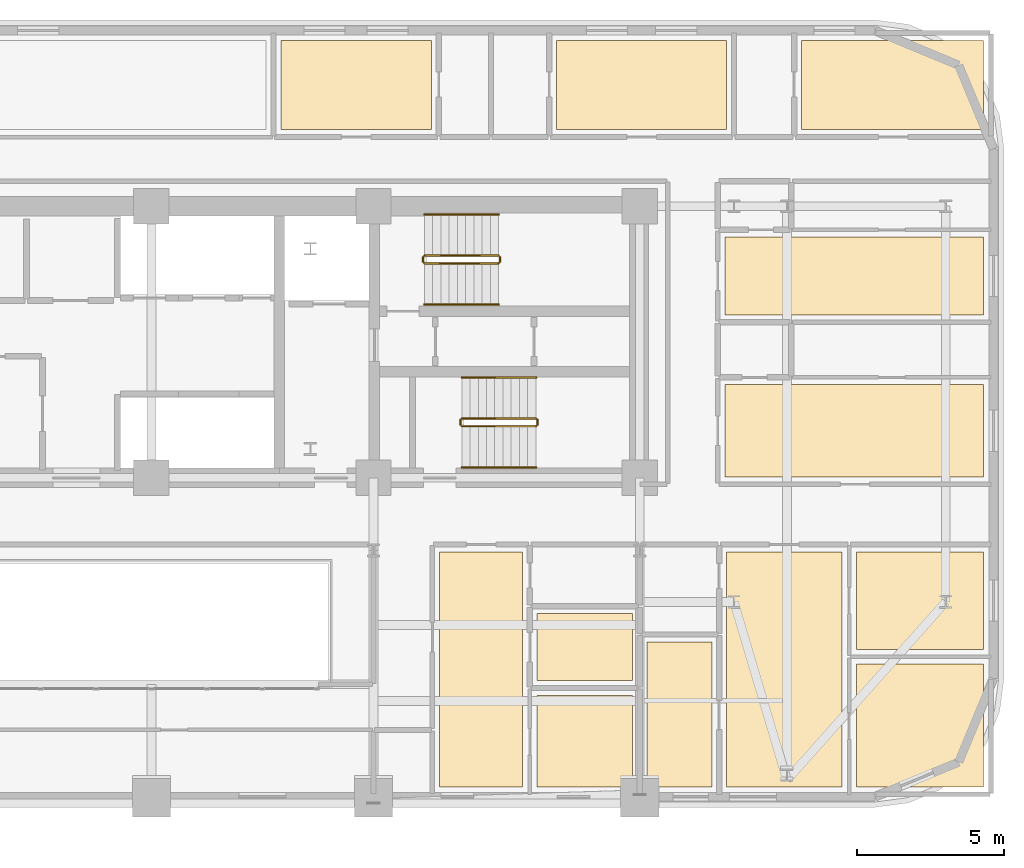
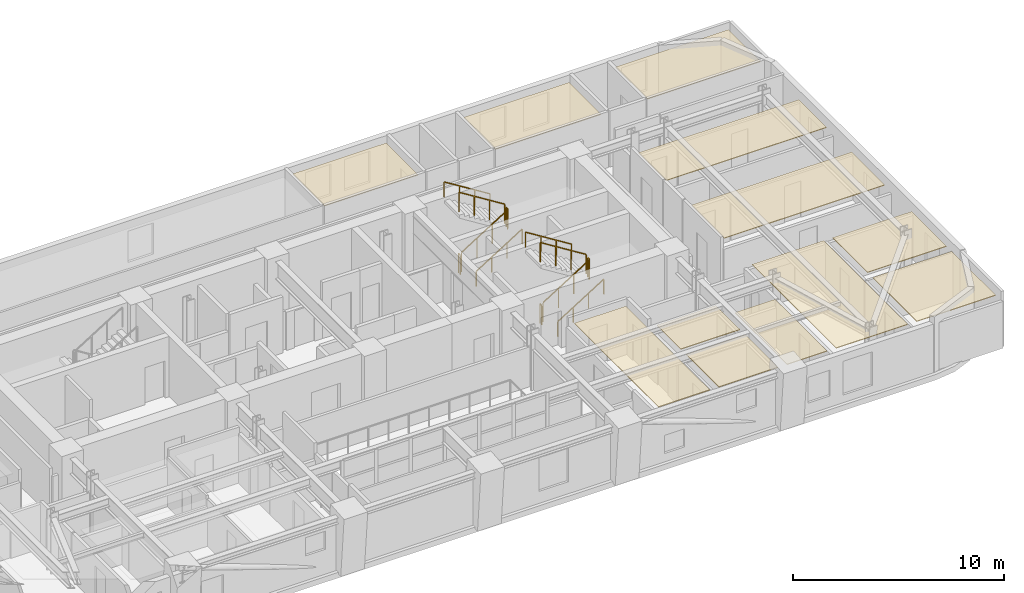
# One storey, part 16 of 16: 12 coverings, 12 railings.
"""IFC4 building model written with IfcOpenShell, lengths in metres."""

import ifcopenshell
import ifcopenshell.guid

model = None  # the IFC model being written
_history = None  # IfcOwnerHistory: only IFC2X3 demands one
_inside = {}  # id of a spatial element -> (the spatial element, [elements in it])
_under = {}  # id of a project, library or spatial element -> (it, [spatial elements below it])
_declared = {}  # id of a project -> (the project, [libraries it declares])
_typed = {}  # id of a type object -> (the type object, [elements of that type])
_made_of = {}  # id of a material, layer set ... -> (it, [elements and type objects made of it])


def new_model(schema):
    """Start an empty IFC model of exactly this schema.

    Asked for "IFC4X3", IfcOpenShell would pick the latest addendum, in which some entities
    have other attributes; the version numbers below select the first issue.
    IFC2X3 requires an IfcOwnerHistory on every rooted entity: one is made here for all.
    """
    global model, _history
    if schema == "IFC4X3":
        model = ifcopenshell.file(schema_version=(4, 3, 0, 0))
    else:
        model = ifcopenshell.file(schema=schema)
    _inside.clear()
    _under.clear()
    _declared.clear()
    _typed.clear()
    _made_of.clear()
    _history = None
    if model.schema == "IFC2X3":
        org = make("IfcOrganization", Name="unknown")
        user = make(
            "IfcPersonAndOrganization",
            ThePerson=make("IfcPerson", FamilyName="unknown"),
            TheOrganization=org,
        )
        app = make(
            "IfcApplication",
            ApplicationDeveloper=org,
            Version="unknown",
            ApplicationFullName="unknown",
            ApplicationIdentifier="unknown",
        )
        _history = make(
            "IfcOwnerHistory",
            OwningUser=user,
            OwningApplication=app,
            ChangeAction="ADDED",
            CreationDate=0,
        )
    return model


def make(cls, **values):
    """One entity of the class cls with the attributes given. An attribute that is None is left unset."""
    return model.create_entity(
        cls, **{name: value for name, value in values.items() if value is not None}
    )


def rooted(cls, **values):
    """An entity with a GlobalId (a new one), such as an element, a storey or a relation."""
    return make(cls, GlobalId=ifcopenshell.guid.new(), OwnerHistory=_history, **values)


def si_unit(unit_type, name, prefix=None):
    """IfcSIUnit, for example si_unit("LENGTHUNIT", "METRE", prefix="MILLI")."""
    return make("IfcSIUnit", UnitType=unit_type, Prefix=prefix, Name=name)


def assignment(units):
    """IfcUnitAssignment: the units of a project."""
    return None if units is None else make("IfcUnitAssignment", Units=units)


def point(xyz):
    """IfcCartesianPoint."""
    return None if xyz is None else make("IfcCartesianPoint", Coordinates=xyz)


def direction(xyz):
    """IfcDirection."""
    return None if xyz is None else make("IfcDirection", DirectionRatios=xyz)


def frame(location, z_axis=None, x_axis=None):
    """IfcAxis2Placement3D, a coordinate frame: its origin and axes. An axis left out is left unset."""
    return make(
        "IfcAxis2Placement3D",
        Location=point(location),
        Axis=direction(z_axis),
        RefDirection=direction(x_axis),
    )


def frame_2d(location, x_axis=None):
    """IfcAxis2Placement2D, a coordinate frame in the plane: its origin and x axis."""
    return make(
        "IfcAxis2Placement2D", Location=point(location), RefDirection=direction(x_axis)
    )


def origin():
    """The frame at (0, 0, 0) with its axes left unset."""
    return frame((0.0, 0.0, 0.0))


def origin_2d():
    """The frame at (0, 0) in the plane with its x axis left unset."""
    return frame_2d((0.0, 0.0))


def place(relative_to, where):
    """IfcLocalPlacement: puts the frame where relative to a parent placement (None: the world)."""
    return make(
        "IfcLocalPlacement", PlacementRelTo=relative_to, RelativePlacement=where
    )


def context(
    kind, dimensions, precision=None, world=None, true_north=None, identifier=None
):
    """IfcGeometricRepresentationContext, for example the 3D "Model" context."""
    return make(
        "IfcGeometricRepresentationContext",
        ContextIdentifier=identifier,
        ContextType=kind,
        CoordinateSpaceDimension=dimensions,
        Precision=precision,
        WorldCoordinateSystem=world,
        TrueNorth=true_north,
    )


def subcontext(parent, identifier, kind, view, scale=None):
    """IfcGeometricRepresentationSubContext, for example "Body" below "Model"."""
    return make(
        "IfcGeometricRepresentationSubContext",
        ContextIdentifier=identifier,
        ContextType=kind,
        ParentContext=parent,
        TargetScale=scale,
        TargetView=view,
    )


def project(units=None, contexts=None):
    """IfcProject with its units and contexts."""
    return rooted(
        "IfcProject",
        Name="project",
        RepresentationContexts=contexts,
        UnitsInContext=assignment(units),
    )


def spatial(cls, under=None, at=None, **own):
    """A site, building, storey or space (cls), placed at a placement, below another one or the project."""
    s = rooted(cls, ObjectPlacement=at, **own)
    if under is not None:
        _under.setdefault(under.id(), (under, []))[1].append(s)
    return s


def polyline(points):
    """IfcPolyline through the points."""
    return make("IfcPolyline", Points=[point(p) for p in points])


def profile(cls, at=None, kind="AREA", **sizes):
    """A parametric profile (cls). Its sizes go by their IFC names, for example OverallWidth=200.0."""
    return make(cls, ProfileType=kind, Position=at, **sizes)


def rectangle(**sizes):
    """IfcRectangleProfileDef."""
    return profile("IfcRectangleProfileDef", **sizes)


def outline(outer, holes=None, kind="AREA"):
    """IfcArbitraryClosedProfileDef: a profile drawn as a closed curve; with holes, ...WithVoids."""
    if holes is None:
        return make("IfcArbitraryClosedProfileDef", ProfileType=kind, OuterCurve=outer)
    return make(
        "IfcArbitraryProfileDefWithVoids",
        ProfileType=kind,
        OuterCurve=outer,
        InnerCurves=holes,
    )


def extrude(swept, where, along, depth):
    """IfcExtrudedAreaSolid: the profile swept, set in the frame where, extruded along a direction by depth."""
    return make(
        "IfcExtrudedAreaSolid",
        SweptArea=swept,
        Position=where,
        ExtrudedDirection=direction(along),
        Depth=depth,
    )


def shape(context_of_items, identifier, shape_type, items):
    """IfcShapeRepresentation: the items that make up one representation, for example the "Body"."""
    return make(
        "IfcShapeRepresentation",
        ContextOfItems=context_of_items,
        RepresentationIdentifier=identifier,
        RepresentationType=shape_type,
        Items=items,
    )


def material(Name=None, Category=None):
    """IfcMaterial."""
    return make("IfcMaterial", Name=Name, Category=Category)


def layer(
    of_material, thickness, ventilated=None, Name=None, Category=None, Priority=None
):
    """IfcMaterialLayer: one layer of a wall or slab, of a material (None: an air gap)."""
    return make(
        "IfcMaterialLayer",
        Material=of_material,
        LayerThickness=thickness,
        IsVentilated=ventilated,
        Name=Name,
        Category=Category,
        Priority=Priority,
    )


def layer_set(layers, Name=None):
    """IfcMaterialLayerSet."""
    return make("IfcMaterialLayerSet", MaterialLayers=layers, LayerSetName=Name)


def made_of(thing, what):
    """Note that an element or type object is made of a material, layer set ...; save() writes the relation."""
    if what is not None:
        _made_of.setdefault(what.id(), (what, []))[1].append(thing)
    return thing


def type_object(cls, material=None, **own):
    """A type object (cls), such as IfcWallType, which elements share."""
    return made_of(rooted(cls, **own), material)


def element(
    cls,
    number,
    at=None,
    inside=None,
    cuts=None,
    type_object=None,
    material=None,
    context=None,
    identifier="Body",
    shape_type=None,
    held_by="IfcProductDefinitionShape",
    body=None,
    shapes=None,
    **own,
):
    """One element of the class cls, such as IfcWall. Its Tag is "e" and its number.

    at: its placement. inside: the storey or other place that contains it. cuts: it is an
    opening in that element (IfcRelVoidsElement). A single representation is given by context,
    identifier, shape_type and body (its items); several are given by shapes. held_by: the class
    of the entity that holds the representations. save() writes the other relations.
    """
    e = rooted(cls, Tag="e%d" % number, ObjectPlacement=at, **own)
    if body is not None:
        shapes = [shape(context, identifier, shape_type, body)]
    if shapes is not None:
        e.Representation = make(held_by, Representations=shapes)
    if inside is not None:
        _inside.setdefault(inside.id(), (inside, []))[1].append(e)
    if cuts is not None:
        rooted(
            "IfcRelVoidsElement", RelatingBuildingElement=cuts, RelatedOpeningElement=e
        )
    if type_object is not None:
        _typed.setdefault(type_object.id(), (type_object, []))[1].append(e)
    return made_of(e, material)


def aggregate(whole, parts):
    """IfcRelAggregates: a whole, such as a stair, and the parts it consists of."""
    return rooted("IfcRelAggregates", RelatingObject=whole, RelatedObjects=parts)


def save(model, path):
    """Write the relations noted so far, then the file.

    IfcRelAggregates (storeys below a building ...), IfcRelContainedInSpatialStructure (elements
    in a storey), IfcRelDefinesByType, IfcRelAssociatesMaterial and IfcRelDeclares: one each for
    every whole, place, type object, material and project.
    """
    for whole, parts in _under.values():
        aggregate(whole, parts)
    for where, things in _inside.values():
        rooted(
            "IfcRelContainedInSpatialStructure",
            RelatedElements=things,
            RelatingStructure=where,
        )
    for kind, things in _typed.values():
        rooted("IfcRelDefinesByType", RelatedObjects=things, RelatingType=kind)
    for what, things in _made_of.values():
        rooted("IfcRelAssociatesMaterial", RelatedObjects=things, RelatingMaterial=what)
    for by, libraries in _declared.values():
        rooted("IfcRelDeclares", RelatingContext=by, RelatedDefinitions=libraries)
    model.write(path)


model = new_model("IFC4")

# Units and contexts
model_context = context("Model", 3, precision=1e-05, world=origin(), true_north=direction((0.0, 1.0)))
body_context = subcontext(model_context, "Body", "Model", "MODEL_VIEW")
ifc_project = project(units=[si_unit("LENGTHUNIT", "METRE"), si_unit("AREAUNIT", "SQUARE_METRE"), si_unit("VOLUMEUNIT", "CUBIC_METRE"), si_unit("PLANEANGLEUNIT", "RADIAN"), si_unit("MASSUNIT", "GRAM", prefix="KILO")], contexts=[model_context])

# Site, building, storey
site_placement = place(None, origin())
site = spatial("IfcSite", under=ifc_project, at=site_placement, CompositionType="ELEMENT")
building_placement = place(site_placement, origin())
building = spatial("IfcBuilding", under=site, at=building_placement, Name="Zarnavel Station Tower", CompositionType="ELEMENT")
storey_placement = place(building_placement, frame((0.0, 0.0, 101.300048828125)))
storey = spatial("IfcBuildingStorey", under=building, at=storey_placement, Name="L27", CompositionType="ELEMENT", Elevation=101.300048828125)

# Coverings
ifc_material_1 = material(Name="Perforated Gypsum and Mineral-Wool Acoustic Ceiling", Category="concrete")
ifc_layer = layer(ifc_material_1, 0.0400390625)
ifc_layer_set = layer_set([ifc_layer], Name="COV_CEIL_ACOUSTIC")
covering_type = type_object("IfcCoveringType", Name="COV_CEIL_ACOUSTIC", PredefinedType="CEILING", material=ifc_layer_set)
covering_1_placement = place(storey_placement, frame((0.0, 0.0, 2.919921875)))
element("IfcCovering", 1, at=covering_1_placement, inside=storey, type_object=covering_type, Name="L27 FNE1R Acoustic Ceiling", PredefinedType="CEILING", context=body_context, shape_type="SweptSolid", body=[
    extrude(outline(polyline([(48.300048828125, 27.85009765625), (57.090087890625, 27.85009765625), (57.090087890625, 30.986083984375), (48.300048828125, 30.986083984375), (48.300048828125, 27.85009765625)])), origin(), (0.0, 0.0, 1.0), 0.0400390625),
])
covering_2_placement = place(storey_placement, frame((0.0, 0.0, 2.919921875)))
element("IfcCovering", 2, at=covering_2_placement, inside=storey, type_object=covering_type, Name="L27 FNE2R Acoustic Ceiling", PredefinedType="CEILING", context=body_context, shape_type="SweptSolid", body=[
    extrude(outline(polyline([(48.300048828125, 33.35888671875), (57.090087890625, 33.35888671875), (57.090087890625, 36.0), (48.300048828125, 36.0), (48.300048828125, 33.35888671875)])), origin(), (0.0, 0.0, 1.0), 0.0400390625),
])
covering_3_placement = place(storey_placement, frame((0.0, 0.0, 2.919921875)))
element("IfcCovering", 3, at=covering_3_placement, inside=storey, type_object=covering_type, Name="L27 HN1R Acoustic Ceiling", PredefinedType="CEILING", context=body_context, shape_type="SweptSolid", body=[
    extrude(outline(polyline([(33.199951171875, 39.64990234375), (38.31689453125, 39.64990234375), (38.31689453125, 42.68994140625), (33.199951171875, 42.68994140625), (33.199951171875, 39.64990234375)])), origin(), (0.0, 0.0, 1.0), 0.0400390625),
])
covering_4_placement = place(storey_placement, frame((0.0, 0.0, 2.919921875)))
element("IfcCovering", 4, at=covering_4_placement, inside=storey, type_object=covering_type, Name="L27 HN2R Acoustic Ceiling", PredefinedType="CEILING", context=body_context, shape_type="SweptSolid", body=[
    extrude(outline(polyline([(42.572998046875, 39.64990234375), (48.35009765625, 39.64990234375), (48.35009765625, 42.68994140625), (42.572998046875, 42.68994140625), (42.572998046875, 39.64990234375)])), origin(), (0.0, 0.0, 1.0), 0.0400390625),
])
covering_5_placement = place(storey_placement, frame((0.0, 0.0, 2.919921875)))
element("IfcCovering", 5, at=covering_5_placement, inside=storey, type_object=covering_type, Name="L27 HN3R Acoustic Ceiling", PredefinedType="CEILING", context=body_context, shape_type="SweptSolid", body=[
    extrude(outline(polyline([(50.89990234375, 39.64990234375), (57.090087890625, 39.64990234375), (57.090087890625, 42.68994140625), (50.89990234375, 42.68994140625), (50.89990234375, 39.64990234375)])), origin(), (0.0, 0.0, 1.0), 0.0400390625),
])
covering_6_placement = place(storey_placement, frame((0.0, 0.0, 2.919921875)))
element("IfcCovering", 6, at=covering_6_placement, inside=storey, type_object=covering_type, Name="L27 UE1ALV Acoustic Ceiling", PredefinedType="CEILING", context=body_context, shape_type="SweptSolid", body=[
    extrude(outline(polyline([(38.60009765625, 17.31005859375), (41.4130859375, 17.31005859375), (41.4130859375, 25.300048828125), (38.60009765625, 25.300048828125), (38.60009765625, 17.31005859375)])), origin(), (0.0, 0.0, 1.0), 0.0400390625),
])
covering_7_placement = place(storey_placement, frame((0.0, 0.0, 2.919921875)))
element("IfcCovering", 7, at=covering_7_placement, inside=storey, type_object=covering_type, Name="L27 UE1AB1 Acoustic Ceiling", PredefinedType="CEILING", context=body_context, shape_type="SweptSolid", body=[
    extrude(outline(polyline([(41.9130859375, 17.31005859375), (45.14990234375, 17.31005859375), (45.14990234375, 20.423095703125), (41.9130859375, 20.423095703125), (41.9130859375, 17.31005859375)])), origin(), (0.0, 0.0, 1.0), 0.0400390625),
])
covering_8_placement = place(storey_placement, frame((0.0, 0.0, 2.919921875)))
element("IfcCovering", 8, at=covering_8_placement, inside=storey, type_object=covering_type, Name="L27 UE1AKT Acoustic Ceiling", PredefinedType="CEILING", context=body_context, shape_type="SweptSolid", body=[
    extrude(outline(polyline([(41.9130859375, 20.923095703125), (45.14990234375, 20.923095703125), (45.14990234375, 23.202880859375), (41.9130859375, 23.202880859375), (41.9130859375, 20.923095703125)])), origin(), (0.0, 0.0, 1.0), 0.0400390625),
])
covering_9_placement = place(storey_placement, frame((0.0, 0.0, 2.919921875)))
element("IfcCovering", 9, at=covering_9_placement, inside=storey, type_object=covering_type, Name="L27 UE1BLV Acoustic Ceiling", PredefinedType="CEILING", context=body_context, shape_type="SweptSolid", body=[
    extrude(outline(polyline([(48.35009765625, 17.31005859375), (52.26806640625, 17.31005859375), (52.26806640625, 25.300048828125), (48.35009765625, 25.300048828125), (48.35009765625, 17.31005859375)])), origin(), (0.0, 0.0, 1.0), 0.0400390625),
])
covering_10_placement = place(storey_placement, frame((0.0, 0.0, 2.919921875)))
element("IfcCovering", 10, at=covering_10_placement, inside=storey, type_object=covering_type, Name="L27 UE1BKT Acoustic Ceiling", PredefinedType="CEILING", context=body_context, shape_type="SweptSolid", body=[
    extrude(outline(polyline([(45.64990234375, 17.31005859375), (47.85009765625, 17.31005859375), (47.85009765625, 22.243896484375), (45.64990234375, 22.243896484375), (45.64990234375, 17.31005859375)])), origin(), (0.0, 0.0, 1.0), 0.0400390625),
])
covering_11_placement = place(storey_placement, frame((0.0, 0.0, 2.919921875)))
element("IfcCovering", 11, at=covering_11_placement, inside=storey, type_object=covering_type, Name="L27 UE1BB1 Acoustic Ceiling", PredefinedType="CEILING", context=body_context, shape_type="SweptSolid", body=[
    extrude(outline(polyline([(52.76806640625, 17.31005859375), (57.090087890625, 17.31005859375), (57.090087890625, 21.490966796875), (52.76806640625, 21.490966796875), (52.76806640625, 17.31005859375)])), origin(), (0.0, 0.0, 1.0), 0.0400390625),
])
covering_12_placement = place(storey_placement, frame((0.0, 0.0, 2.919921875)))
element("IfcCovering", 12, at=covering_12_placement, inside=storey, type_object=covering_type, Name="L27 UE1BB2 Acoustic Ceiling", PredefinedType="CEILING", context=body_context, shape_type="SweptSolid", body=[
    extrude(outline(polyline([(52.76806640625, 21.990966796875), (57.090087890625, 21.990966796875), (57.090087890625, 25.300048828125), (52.76806640625, 25.300048828125), (52.76806640625, 21.990966796875)])), origin(), (0.0, 0.0, 1.0), 0.0400390625),
])

# Railings
ifc_material_2 = material(Name="Painted Steel S355J2 Balustrade", Category="steel")
railing_type_1 = type_object("IfcRailingType", Name="GR_INT_1150", PredefinedType="GUARDRAIL", material=ifc_material_2)
railing_1_placement = place(storey_placement, frame((38.080078125, 35.110107421875, 0.175048828125)))
element("IfcRailing", 13, at=railing_1_placement, inside=storey, type_object=railing_type_1, Name="L27 ST2 stair guard 1", PredefinedType="GUARDRAIL", context=body_context, shape_type="SweptSolid", body=[
    extrude(rectangle(XDim=0.048095703125, YDim=0.048095703125, at=origin_2d()), frame((0.001708984375, 0.0, 1.126953125), z_axis=(0.848007534815, 0.0, 0.529984170421), x_axis=(0.0, 1.0, 0.0)), (0.0, 0.0, 1.0), 2.9677734375),
    extrude(rectangle(XDim=0.0419921875, YDim=0.0419921875, at=origin_2d()), origin(), (0.0, 0.0, 1.0), 1.101806640625),
    extrude(rectangle(XDim=0.0419921875, YDim=0.0419921875, at=origin_2d()), frame((0.840087890625, 0.0, 0.52490234375)), (0.0, 0.0, 1.0), 1.101806640625),
    extrude(rectangle(XDim=0.0419921875, YDim=0.0419921875, at=origin_2d()), frame((1.679931640625, 0.0, 1.050048828125)), (0.0, 0.0, 1.0), 1.101806640625),
    extrude(rectangle(XDim=0.0419921875, YDim=0.0419921875, at=origin_2d()), frame((2.52001953125, 0.0, 1.574951171875)), (0.0, 0.0, 1.0), 1.101806640625),
])
railing_2_placement = place(storey_placement, frame((40.64990234375, 35.159912109375, 1.75)))
element("IfcRailing", 14, at=railing_2_placement, inside=storey, type_object=railing_type_1, Name="L27 ST2 stair guard 2", PredefinedType="GUARDRAIL", context=body_context, shape_type="SweptSolid", body=[
    extrude(rectangle(XDim=0.048095703125, YDim=0.048095703125, at=origin_2d()), frame((0.0, 0.001953125, 1.1259765625), z_axis=(0.0, 1.0, 0.0), x_axis=(-1.0, 0.0, 0.0)), (0.0, 0.0, 1.0), 0.15625),
    extrude(rectangle(XDim=0.0419921875, YDim=0.0419921875, at=origin_2d()), origin(), (0.0, 0.0, 1.0), 1.101806640625),
    extrude(rectangle(XDim=0.0419921875, YDim=0.0419921875, at=origin_2d()), frame((0.0, 0.16015625, 0.0)), (0.0, 0.0, 1.0), 1.101806640625),
])
railing_3_placement = place(storey_placement, frame((40.60009765625, 35.3701171875, 1.925048828125)))
element("IfcRailing", 15, at=railing_3_placement, inside=storey, type_object=railing_type_1, Name="L27 ST2 stair guard 3", PredefinedType="GUARDRAIL", context=body_context, shape_type="SweptSolid", body=[
    extrude(rectangle(XDim=0.048095703125, YDim=0.048095703125, at=origin_2d()), frame((-0.001708984375, 0.0, 1.126953125), z_axis=(-0.848007534815, 0.0, 0.529984170421), x_axis=(0.0, -1.0, 0.0)), (0.0, 0.0, 1.0), 2.9677734375),
    extrude(rectangle(XDim=0.0419921875, YDim=0.0419921875, at=origin_2d()), origin(), (0.0, 0.0, 1.0), 1.101806640625),
    extrude(rectangle(XDim=0.0419921875, YDim=0.0419921875, at=origin_2d()), frame((-0.840087890625, 0.0, 0.52490234375)), (0.0, 0.0, 1.0), 1.101806640625),
    extrude(rectangle(XDim=0.0419921875, YDim=0.0419921875, at=origin_2d()), frame((-1.679931640625, 0.0, 1.050048828125)), (0.0, 0.0, 1.0), 1.101806640625),
    extrude(rectangle(XDim=0.0419921875, YDim=0.0419921875, at=origin_2d()), frame((-2.52001953125, 0.0, 1.574951171875)), (0.0, 0.0, 1.0), 1.101806640625),
])
railing_4_placement = place(storey_placement, frame((38.030029296875, 35.159912109375, 0.0)))
element("IfcRailing", 16, at=railing_4_placement, inside=storey, type_object=railing_type_1, Name="L27 ST2 stair guard 4", PredefinedType="GUARDRAIL", context=body_context, shape_type="SweptSolid", body=[
    extrude(rectangle(XDim=0.048095703125, YDim=0.048095703125, at=origin_2d()), frame((0.0, 0.001953125, 1.1259765625), z_axis=(0.0, 1.0, 0.0), x_axis=(-1.0, 0.0, 0.0)), (0.0, 0.0, 1.0), 0.15625),
    extrude(rectangle(XDim=0.0419921875, YDim=0.0419921875, at=origin_2d()), origin(), (0.0, 0.0, 1.0), 1.101806640625),
    extrude(rectangle(XDim=0.0419921875, YDim=0.0419921875, at=origin_2d()), frame((0.0, 0.16015625, 0.0)), (0.0, 0.0, 1.0), 1.101806640625),
])
railing_5_placement = place(storey_placement, frame((39.35009765625, 29.570068359375, 0.175048828125)))
element("IfcRailing", 17, at=railing_5_placement, inside=storey, type_object=railing_type_1, Name="L27 ST3 stair guard 1", PredefinedType="GUARDRAIL", context=body_context, shape_type="SweptSolid", body=[
    extrude(rectangle(XDim=0.048095703125, YDim=0.048095703125, at=origin_2d()), frame((0.001708984375, 0.0, 1.126953125), z_axis=(0.848007534815, 0.0, 0.529984170421), x_axis=(0.0, 1.0, 0.0)), (0.0, 0.0, 1.0), 2.9677734375),
    extrude(rectangle(XDim=0.0419921875, YDim=0.0419921875, at=origin_2d()), origin(), (0.0, 0.0, 1.0), 1.101806640625),
    extrude(rectangle(XDim=0.0419921875, YDim=0.0419921875, at=origin_2d()), frame((0.840087890625, 0.0, 0.52490234375)), (0.0, 0.0, 1.0), 1.101806640625),
    extrude(rectangle(XDim=0.0419921875, YDim=0.0419921875, at=origin_2d()), frame((1.679931640625, 0.0, 1.050048828125)), (0.0, 0.0, 1.0), 1.101806640625),
    extrude(rectangle(XDim=0.0419921875, YDim=0.0419921875, at=origin_2d()), frame((2.52001953125, 0.0, 1.574951171875)), (0.0, 0.0, 1.0), 1.101806640625),
])
railing_6_placement = place(storey_placement, frame((41.919921875, 29.6201171875, 1.75)))
element("IfcRailing", 18, at=railing_6_placement, inside=storey, type_object=railing_type_1, Name="L27 ST3 stair guard 2", PredefinedType="GUARDRAIL", context=body_context, shape_type="SweptSolid", body=[
    extrude(rectangle(XDim=0.048095703125, YDim=0.048095703125, at=origin_2d()), frame((0.0, 0.001953125, 1.1259765625), z_axis=(0.0, 1.0, 0.0), x_axis=(-1.0, 0.0, 0.0)), (0.0, 0.0, 1.0), 0.156005859375),
    extrude(rectangle(XDim=0.0419921875, YDim=0.0419921875, at=origin_2d()), origin(), (0.0, 0.0, 1.0), 1.101806640625),
    extrude(rectangle(XDim=0.0419921875, YDim=0.0419921875, at=origin_2d()), frame((0.0, 0.159912109375, 0.0)), (0.0, 0.0, 1.0), 1.101806640625),
])
railing_7_placement = place(storey_placement, frame((41.8701171875, 29.830078125, 1.925048828125)))
element("IfcRailing", 19, at=railing_7_placement, inside=storey, type_object=railing_type_1, Name="L27 ST3 stair guard 3", PredefinedType="GUARDRAIL", context=body_context, shape_type="SweptSolid", body=[
    extrude(rectangle(XDim=0.048095703125, YDim=0.048095703125, at=origin_2d()), frame((-0.001708984375, 0.0, 1.126953125), z_axis=(-0.848007534815, 0.0, 0.529984170421), x_axis=(0.0, -1.0, 0.0)), (0.0, 0.0, 1.0), 2.9677734375),
    extrude(rectangle(XDim=0.0419921875, YDim=0.0419921875, at=origin_2d()), origin(), (0.0, 0.0, 1.0), 1.101806640625),
    extrude(rectangle(XDim=0.0419921875, YDim=0.0419921875, at=origin_2d()), frame((-0.840087890625, 0.0, 0.52490234375)), (0.0, 0.0, 1.0), 1.101806640625),
    extrude(rectangle(XDim=0.0419921875, YDim=0.0419921875, at=origin_2d()), frame((-1.679931640625, 0.0, 1.050048828125)), (0.0, 0.0, 1.0), 1.101806640625),
    extrude(rectangle(XDim=0.0419921875, YDim=0.0419921875, at=origin_2d()), frame((-2.52001953125, 0.0, 1.574951171875)), (0.0, 0.0, 1.0), 1.101806640625),
])
railing_8_placement = place(storey_placement, frame((39.300048828125, 29.6201171875, 0.0)))
element("IfcRailing", 20, at=railing_8_placement, inside=storey, type_object=railing_type_1, Name="L27 ST3 stair guard 4", PredefinedType="GUARDRAIL", context=body_context, shape_type="SweptSolid", body=[
    extrude(rectangle(XDim=0.048095703125, YDim=0.048095703125, at=origin_2d()), frame((0.0, 0.001953125, 1.1259765625), z_axis=(0.0, 1.0, 0.0), x_axis=(-1.0, 0.0, 0.0)), (0.0, 0.0, 1.0), 0.156005859375),
    extrude(rectangle(XDim=0.0419921875, YDim=0.0419921875, at=origin_2d()), origin(), (0.0, 0.0, 1.0), 1.101806640625),
    extrude(rectangle(XDim=0.0419921875, YDim=0.0419921875, at=origin_2d()), frame((0.0, 0.159912109375, 0.0)), (0.0, 0.0, 1.0), 1.101806640625),
])
ifc_material_3 = material(Name="Brushed Stainless Steel S355J2 Handrail", Category="steel")
railing_type_2 = type_object("IfcRailingType", Name="HR_STAIR_900", PredefinedType="HANDRAIL", material=ifc_material_3)
railing_9_placement = place(storey_placement, frame((38.080078125, 33.7099609375, 0.175048828125)))
element("IfcRailing", 21, at=railing_9_placement, inside=storey, type_object=railing_type_2, Name="L27 ST2 stair handrail 1", PredefinedType="HANDRAIL", context=body_context, shape_type="SweptSolid", body=[
    extrude(rectangle(XDim=0.048095703125, YDim=0.048095703125, at=origin_2d()), frame((0.001708984375, 0.0, 0.876953125), z_axis=(0.848007534815, 0.0, 0.529984170421), x_axis=(0.0, 1.0, 0.0)), (0.0, 0.0, 1.0), 2.9677734375),
    extrude(rectangle(XDim=0.0419921875, YDim=0.0419921875, at=origin_2d()), origin(), (0.0, 0.0, 1.0), 0.851806640625),
    extrude(rectangle(XDim=0.0419921875, YDim=0.0419921875, at=origin_2d()), frame((0.840087890625, 0.0, 0.52490234375)), (0.0, 0.0, 1.0), 0.851806640625),
    extrude(rectangle(XDim=0.0419921875, YDim=0.0419921875, at=origin_2d()), frame((1.679931640625, 0.0, 1.050048828125)), (0.0, 0.0, 1.0), 0.851806640625),
    extrude(rectangle(XDim=0.0419921875, YDim=0.0419921875, at=origin_2d()), frame((2.52001953125, 0.0, 1.574951171875)), (0.0, 0.0, 1.0), 0.851806640625),
])
railing_10_placement = place(storey_placement, frame((40.60009765625, 36.77001953125, 1.925048828125)))
element("IfcRailing", 22, at=railing_10_placement, inside=storey, type_object=railing_type_2, Name="L27 ST2 stair handrail 2", PredefinedType="HANDRAIL", context=body_context, shape_type="SweptSolid", body=[
    extrude(rectangle(XDim=0.048095703125, YDim=0.048095703125, at=origin_2d()), frame((-0.001708984375, 0.0, 0.876953125), z_axis=(-0.848007534815, 0.0, 0.529984170421), x_axis=(0.0, -1.0, 0.0)), (0.0, 0.0, 1.0), 2.9677734375),
    extrude(rectangle(XDim=0.0419921875, YDim=0.0419921875, at=origin_2d()), origin(), (0.0, 0.0, 1.0), 0.851806640625),
    extrude(rectangle(XDim=0.0419921875, YDim=0.0419921875, at=origin_2d()), frame((-0.840087890625, 0.0, 0.52490234375)), (0.0, 0.0, 1.0), 0.851806640625),
    extrude(rectangle(XDim=0.0419921875, YDim=0.0419921875, at=origin_2d()), frame((-1.679931640625, 0.0, 1.050048828125)), (0.0, 0.0, 1.0), 0.851806640625),
    extrude(rectangle(XDim=0.0419921875, YDim=0.0419921875, at=origin_2d()), frame((-2.52001953125, 0.0, 1.574951171875)), (0.0, 0.0, 1.0), 0.851806640625),
])
railing_11_placement = place(storey_placement, frame((39.35009765625, 28.169921875, 0.175048828125)))
element("IfcRailing", 23, at=railing_11_placement, inside=storey, type_object=railing_type_2, Name="L27 ST3 stair handrail 1", PredefinedType="HANDRAIL", context=body_context, shape_type="SweptSolid", body=[
    extrude(rectangle(XDim=0.048095703125, YDim=0.048095703125, at=origin_2d()), frame((0.001708984375, 0.0, 0.876953125), z_axis=(0.848007534815, 0.0, 0.529984170421), x_axis=(0.0, 1.0, 0.0)), (0.0, 0.0, 1.0), 2.9677734375),
    extrude(rectangle(XDim=0.0419921875, YDim=0.0419921875, at=origin_2d()), origin(), (0.0, 0.0, 1.0), 0.851806640625),
    extrude(rectangle(XDim=0.0419921875, YDim=0.0419921875, at=origin_2d()), frame((0.840087890625, 0.0, 0.52490234375)), (0.0, 0.0, 1.0), 0.851806640625),
    extrude(rectangle(XDim=0.0419921875, YDim=0.0419921875, at=origin_2d()), frame((1.679931640625, 0.0, 1.050048828125)), (0.0, 0.0, 1.0), 0.851806640625),
    extrude(rectangle(XDim=0.0419921875, YDim=0.0419921875, at=origin_2d()), frame((2.52001953125, 0.0, 1.574951171875)), (0.0, 0.0, 1.0), 0.851806640625),
])
railing_12_placement = place(storey_placement, frame((41.8701171875, 31.22998046875, 1.925048828125)))
element("IfcRailing", 24, at=railing_12_placement, inside=storey, type_object=railing_type_2, Name="L27 ST3 stair handrail 2", PredefinedType="HANDRAIL", context=body_context, shape_type="SweptSolid", body=[
    extrude(rectangle(XDim=0.048095703125, YDim=0.048095703125, at=origin_2d()), frame((-0.001708984375, 0.0, 0.876953125), z_axis=(-0.848007534815, 0.0, 0.529984170421), x_axis=(0.0, -1.0, 0.0)), (0.0, 0.0, 1.0), 2.9677734375),
    extrude(rectangle(XDim=0.0419921875, YDim=0.0419921875, at=origin_2d()), origin(), (0.0, 0.0, 1.0), 0.851806640625),
    extrude(rectangle(XDim=0.0419921875, YDim=0.0419921875, at=origin_2d()), frame((-0.840087890625, 0.0, 0.52490234375)), (0.0, 0.0, 1.0), 0.851806640625),
    extrude(rectangle(XDim=0.0419921875, YDim=0.0419921875, at=origin_2d()), frame((-1.679931640625, 0.0, 1.050048828125)), (0.0, 0.0, 1.0), 0.851806640625),
    extrude(rectangle(XDim=0.0419921875, YDim=0.0419921875, at=origin_2d()), frame((-2.52001953125, 0.0, 1.574951171875)), (0.0, 0.0, 1.0), 0.851806640625),
])

save(model, "model.ifc")
